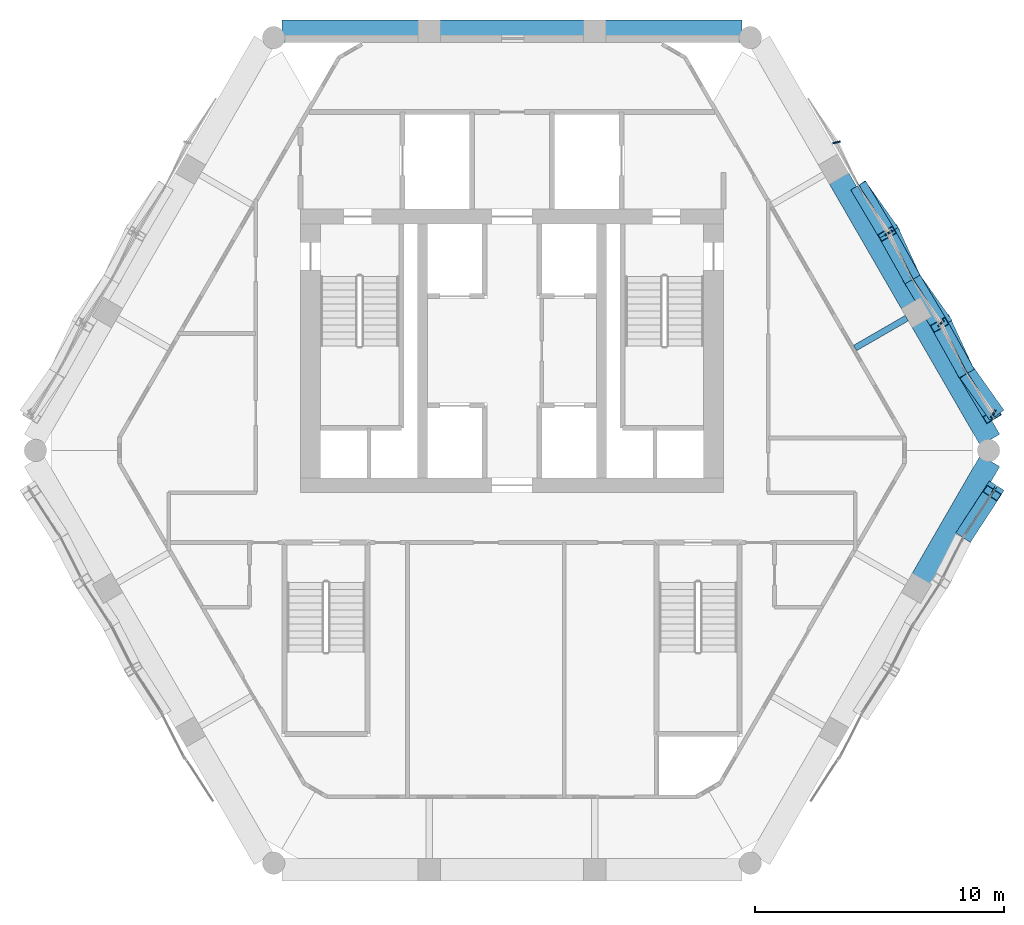
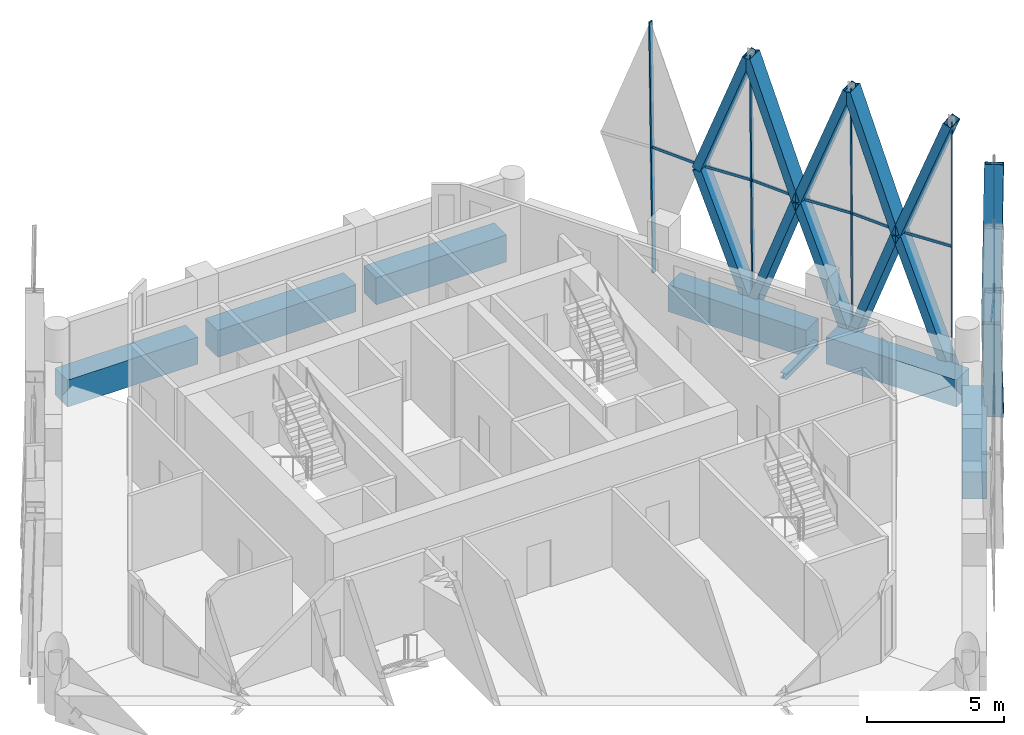
# One storey, part 9 of 18: 29 members, 7 beams, 4 elements without a shape of their own.
"""IFC4 building model written with IfcOpenShell, lengths in metres."""

from ifc_helpers import new_model, si_unit, direction, frame, origin, origin_2d, place, context, subcontext, project, spatial, rectangle, hollow_rectangle, i_section, extrude, material, material_profile, profile_set, type_object, element, aggregate, save


model = new_model("IFC4")

# Units and contexts
model_context = context("Model", 3, precision=1e-05, world=origin(), true_north=direction((0.0, 1.0)))
body_context = subcontext(model_context, "Body", "Model", "MODEL_VIEW")
ifc_project = project(units=[si_unit("LENGTHUNIT", "METRE"), si_unit("AREAUNIT", "SQUARE_METRE"), si_unit("VOLUMEUNIT", "CUBIC_METRE"), si_unit("PLANEANGLEUNIT", "RADIAN"), si_unit("MASSUNIT", "GRAM", prefix="KILO")], contexts=[model_context])

# Site, building, storey
site_placement = place(None, origin())
site = spatial("IfcSite", under=ifc_project, at=site_placement, CompositionType="ELEMENT")
building_placement = place(site_placement, origin())
building = spatial("IfcBuilding", under=site, at=building_placement, Name="Ostrander Bayou Hotel Tower", CompositionType="ELEMENT")
storey_placement = place(building_placement, frame((0.0, 0.0, 214.5)))
storey = spatial("IfcBuildingStorey", under=building, at=storey_placement, Name="L53", CompositionType="ELEMENT", Elevation=214.5)

# Curtain wall, members
ifc_material_1 = material(Name="Aluminium and clear glass", Category="aluminium")
curtain_wall_type = type_object("IfcCurtainWallType", Name="CW-LAT lattice glazing", PredefinedType="NOTDEFINED", material=ifc_material_1)
curtain_wall_1_placement = place(storey_placement, origin())
curtain_wall_1 = element("IfcCurtainWall", 1, at=curtain_wall_1_placement, inside=storey, type_object=curtain_wall_type, Name="CW-LAT L53 SE 1", PredefinedType="NOTDEFINED")
ifc_material_2 = material(Name="Aluminium", Category="aluminium")
ifc_material_profile_1 = material_profile(ifc_material_2, hollow_rectangle(XDim=0.06005859375, YDim=0.159912109375, WallThickness=0.00390625, at=origin_2d()))
ifc_profile_set_1 = profile_set([ifc_material_profile_1], Name="Aluminium")
member_type_1 = type_object("IfcMemberType", Name="CW-LA mullion 60 x 160 mm", PredefinedType="MULLION", material=ifc_profile_set_1)
member_1_placement = place(storey_placement, frame((19.392333984375, -1.551513671875, -0.60009765625), z_axis=(-0.008375557002, -0.014537883916, 0.999859240081), x_axis=(0.866486855147, -0.499199889682, 0.0)))
member_1 = element("IfcMember", 2, at=member_1_placement, type_object=member_type_1, Name="CW-LAT mullion 13", PredefinedType="MULLION", context=body_context, shape_type="SweptSolid", body=[
    extrude(hollow_rectangle(XDim=0.06005859375, YDim=0.159912109375, WallThickness=0.00390625, at=origin_2d()), origin(), (0.0, 0.0, 1.0), 5.625732421875),
])
member_2_placement = place(storey_placement, frame((19.34521484375, -1.63330078125, 5.02490234375), z_axis=(-0.008418950603, -0.014537878618, 0.99985887572), x_axis=(0.865367327112, -0.50113809391, 0.0)))
member_2 = element("IfcMember", 3, at=member_2_placement, type_object=member_type_1, Name="CW-LAT mullion 14", PredefinedType="MULLION", context=body_context, shape_type="SweptSolid", body=[
    extrude(hollow_rectangle(XDim=0.06005859375, YDim=0.159912109375, WallThickness=0.00390625, at=origin_2d()), origin(), (0.0, 0.0, 1.0), 5.625732421875),
])
aggregate(curtain_wall_1, [member_1, member_2])

curtain_wall_2_placement = place(storey_placement, origin())
curtain_wall_2 = element("IfcCurtainWall", 4, at=curtain_wall_2_placement, inside=storey, type_object=curtain_wall_type, Name="CW-LAT L53 NE 1", PredefinedType="NOTDEFINED")
member_3_placement = place(storey_placement, frame((19.392333984375, 1.551513671875, -0.60009765625), z_axis=(-0.008375557002, -0.014537883916, 0.999859240081), x_axis=(0.866486855147, -0.499199889682, 0.0)))
member_3 = element("IfcMember", 5, at=member_3_placement, type_object=member_type_1, Name="CW-LAT mullion 1", PredefinedType="MULLION", context=body_context, shape_type="SweptSolid", body=[
    extrude(hollow_rectangle(XDim=0.06005859375, YDim=0.159912109375, WallThickness=0.00390625, at=origin_2d()), origin(), (0.0, 0.0, 1.0), 5.625732421875),
])
member_4_placement = place(storey_placement, frame((19.34521484375, 1.4697265625, 5.02490234375), z_axis=(-0.008418950603, -0.014537878618, 0.99985887572), x_axis=(0.865367327112, -0.50113809391, 0.0)))
member_4 = element("IfcMember", 6, at=member_4_placement, type_object=member_type_1, Name="CW-LAT mullion 2", PredefinedType="MULLION", context=body_context, shape_type="SweptSolid", body=[
    extrude(hollow_rectangle(XDim=0.06005859375, YDim=0.159912109375, WallThickness=0.00390625, at=origin_2d()), origin(), (0.0, 0.0, 1.0), 5.625732421875),
])
member_5_placement = place(storey_placement, frame((17.30419921875, 5.168212890625, -0.60009765625), z_axis=(-0.010502269759, -0.010892850039, 0.999885517521), x_axis=(0.719895475853, -0.694082490664, 0.0)))
member_5 = element("IfcMember", 7, at=member_5_placement, type_object=member_type_1, Name="CW-LAT mullion 4", PredefinedType="MULLION", context=body_context, shape_type="SweptSolid", body=[
    extrude(hollow_rectangle(XDim=0.06005859375, YDim=0.159912109375, WallThickness=0.00390625, at=origin_2d()), origin(), (0.0, 0.0, 1.0), 5.625732421875),
])
member_6_placement = place(storey_placement, frame((17.2451171875, 5.10693359375, 5.02490234375), z_axis=(-0.010502264784, -0.010936242668, 0.999885043908), x_axis=(0.721272918752, -0.692650977531, 0.0)))
member_6 = element("IfcMember", 8, at=member_6_placement, type_object=member_type_1, Name="CW-LAT mullion 5", PredefinedType="MULLION", context=body_context, shape_type="SweptSolid", body=[
    extrude(hollow_rectangle(XDim=0.06005859375, YDim=0.159912109375, WallThickness=0.00390625, at=origin_2d()), origin(), (0.0, 0.0, 1.0), 5.625732421875),
])
member_7_placement = place(storey_placement, frame((15.216064453125, 8.784912109375, -0.60009765625), z_axis=(-0.012585478078, -0.007247499445, 0.999894534185), x_axis=(0.499032451057, -0.866583298242, 0.0)))
member_7 = element("IfcMember", 9, at=member_7_placement, type_object=member_type_1, Name="CW-LAT mullion 8", PredefinedType="MULLION", context=body_context, shape_type="SweptSolid", body=[
    extrude(hollow_rectangle(XDim=0.06005859375, YDim=0.159912109375, WallThickness=0.00390625, at=origin_2d()), origin(), (0.0, 0.0, 1.0), 5.62548828125),
])
member_8_placement = place(storey_placement, frame((15.145263671875, 8.744140625, 5.02490234375), z_axis=(-0.012628865384, -0.007290891356, 0.999893671678), x_axis=(0.499980071345, -0.866036909293, 0.0)))
member_8 = element("IfcMember", 10, at=member_8_placement, type_object=member_type_1, Name="CW-LAT mullion 9", PredefinedType="MULLION", context=body_context, shape_type="SweptSolid", body=[
    extrude(hollow_rectangle(XDim=0.06005859375, YDim=0.159912109375, WallThickness=0.00390625, at=origin_2d()), origin(), (0.0, 0.0, 1.0), 5.62548828125),
])
member_9_placement = place(storey_placement, frame((13.1279296875, 12.401611328125, -0.60009765625), z_axis=(-0.014668465382, -0.003602019606, 0.999885924282), x_axis=(0.238477195532, -0.971148097466, 0.0)))
member_9 = element("IfcMember", 11, at=member_9_placement, type_object=member_type_1, Name="CW-LAT mullion 12", PredefinedType="MULLION", context=body_context, shape_type="SweptSolid", body=[
    extrude(hollow_rectangle(XDim=0.06005859375, YDim=0.159912109375, WallThickness=0.00390625, at=origin_2d()), origin(), (0.0, 0.0, 1.0), 5.625732421875),
])
member_10_placement = place(storey_placement, frame((13.04541015625, 12.38134765625, 5.02490234375), z_axis=(-0.014711851516, -0.003645414535, 0.999885129591), x_axis=(0.24051397288, -0.970645676264, 0.0)))
member_10 = element("IfcMember", 12, at=member_10_placement, type_object=member_type_1, Name="CW-LAT mullion 13", PredefinedType="MULLION", context=body_context, shape_type="SweptSolid", body=[
    extrude(hollow_rectangle(XDim=0.06005859375, YDim=0.159912109375, WallThickness=0.00390625, at=origin_2d()), origin(), (0.0, 0.0, 1.0), 5.625732421875),
])
aggregate(curtain_wall_2, [member_3, member_4, member_5, member_6, member_7, member_8, member_9, member_10])

# Curtain wall, member
curtain_wall_3_placement = place(storey_placement, origin())
curtain_wall_3 = element("IfcCurtainWall", 13, at=curtain_wall_3_placement, inside=storey, type_object=curtain_wall_type, Name="CW-LAT L53 SE 2", PredefinedType="NOTDEFINED")
ifc_material_3 = material(Name="Aluminium", Category="aluminium")
ifc_material_profile_2 = material_profile(ifc_material_3, hollow_rectangle(XDim=0.06005859375, YDim=0.1201171875, WallThickness=0.00390625, at=origin_2d()))
ifc_profile_set_2 = profile_set([ifc_material_profile_2], Name="Aluminium")
member_type_2 = type_object("IfcMemberType", Name="CW-LA transom 60 x 120 mm", PredefinedType="USERDEFINED", material=ifc_profile_set_2)
member_11_placement = place(storey_placement, frame((19.34521484375, -1.63330078125, 5.02490234375), z_axis=(-0.545208318422, -0.838300596161, 0.0), x_axis=(0.838300596161, -0.545208318422, 0.0)))
member_11 = element("IfcMember", 14, at=member_11_placement, type_object=member_type_2, Name="CW-LAT transom 15", ObjectType="TRANSOM", PredefinedType="USERDEFINED", context=body_context, shape_type="SweptSolid", body=[
    extrude(hollow_rectangle(XDim=0.06005859375, YDim=0.1201171875, WallThickness=0.00390625, at=origin_2d()), origin(), (0.0, 0.0, 1.0), 2.0673828125),
])
aggregate(curtain_wall_3, [member_11])

# Curtain wall, members
curtain_wall_4_placement = place(storey_placement, origin())
curtain_wall_4 = element("IfcCurtainWall", 15, at=curtain_wall_4_placement, inside=storey, type_object=curtain_wall_type, Name="CW-LAT L53 NE 2", PredefinedType="NOTDEFINED")
member_12_placement = place(storey_placement, frame((19.34521484375, 1.4697265625, 5.02490234375), z_axis=(-0.544478173175, 0.838775010915, 0.0), x_axis=(-0.838775010915, -0.544478173175, 0.0)))
member_12 = element("IfcMember", 16, at=member_12_placement, type_object=member_type_2, Name="CW-LAT transom 3", ObjectType="TRANSOM", PredefinedType="USERDEFINED", context=body_context, shape_type="SweptSolid", body=[
    extrude(hollow_rectangle(XDim=0.06005859375, YDim=0.1201171875, WallThickness=0.00390625, at=origin_2d()), origin(), (0.0, 0.0, 1.0), 2.10302734375),
])
member_13_placement = place(storey_placement, frame((17.2451171875, 5.10693359375, 5.02490234375), z_axis=(0.454212745027, -0.89089324964, 0.0), x_axis=(0.89089324964, 0.454212745027, 0.0)))
member_13 = element("IfcMember", 17, at=member_13_placement, type_object=member_type_2, Name="CW-LAT transom 6", ObjectType="TRANSOM", PredefinedType="USERDEFINED", context=body_context, shape_type="SweptSolid", body=[
    extrude(hollow_rectangle(XDim=0.06005859375, YDim=0.1201171875, WallThickness=0.00390625, at=origin_2d()), origin(), (0.0, 0.0, 1.0), 2.102783203125),
])
member_14_placement = place(storey_placement, frame((17.2451171875, 5.10693359375, 5.02490234375), z_axis=(-0.544396488653, 0.83882802954, 0.0), x_axis=(-0.83882802954, -0.544396488653, 0.0)))
member_14 = element("IfcMember", 18, at=member_14_placement, type_object=member_type_2, Name="CW-LAT transom 7", ObjectType="TRANSOM", PredefinedType="USERDEFINED", context=body_context, shape_type="SweptSolid", body=[
    extrude(hollow_rectangle(XDim=0.06005859375, YDim=0.1201171875, WallThickness=0.00390625, at=origin_2d()), origin(), (0.0, 0.0, 1.0), 2.102783203125),
])
member_15_placement = place(storey_placement, frame((15.145263671875, 8.744140625, 5.02490234375), z_axis=(0.454212745027, -0.89089324964, 0.0), x_axis=(0.89089324964, 0.454212745027, 0.0)))
member_15 = element("IfcMember", 19, at=member_15_placement, type_object=member_type_2, Name="CW-LAT transom 10", ObjectType="TRANSOM", PredefinedType="USERDEFINED", context=body_context, shape_type="SweptSolid", body=[
    extrude(hollow_rectangle(XDim=0.06005859375, YDim=0.1201171875, WallThickness=0.00390625, at=origin_2d()), origin(), (0.0, 0.0, 1.0), 2.102783203125),
])
member_16_placement = place(storey_placement, frame((15.145263671875, 8.744140625, 5.02490234375), z_axis=(-0.544396488653, 0.83882802954, 0.0), x_axis=(-0.83882802954, -0.544396488653, 0.0)))
member_16 = element("IfcMember", 20, at=member_16_placement, type_object=member_type_2, Name="CW-LAT transom 11", ObjectType="TRANSOM", PredefinedType="USERDEFINED", context=body_context, shape_type="SweptSolid", body=[
    extrude(hollow_rectangle(XDim=0.06005859375, YDim=0.1201171875, WallThickness=0.00390625, at=origin_2d()), origin(), (0.0, 0.0, 1.0), 2.102783203125),
])
member_17_placement = place(storey_placement, frame((13.04541015625, 12.38134765625, 5.02490234375), z_axis=(0.454212745027, -0.89089324964, 0.0), x_axis=(0.89089324964, 0.454212745027, 0.0)))
member_17 = element("IfcMember", 21, at=member_17_placement, type_object=member_type_2, Name="CW-LAT transom 14", ObjectType="TRANSOM", PredefinedType="USERDEFINED", context=body_context, shape_type="SweptSolid", body=[
    extrude(hollow_rectangle(XDim=0.06005859375, YDim=0.1201171875, WallThickness=0.00390625, at=origin_2d()), origin(), (0.0, 0.0, 1.0), 2.102783203125),
])
aggregate(curtain_wall_4, [member_12, member_13, member_14, member_15, member_16, member_17])

# Beam
ifc_material_4 = material(Name="Steel ASTM A992", Category="steel")
ifc_material_profile_3 = material_profile(ifc_material_4, i_section(OverallWidth=0.25390625, OverallDepth=0.25341796875, WebThickness=0.008544921875, FlangeThickness=0.01416015625, at=origin_2d()))
ifc_profile_set_3 = profile_set([ifc_material_profile_3], Name="Steel ASTM A992")
beam_type_1 = type_object("IfcBeamType", Name="LB2 loggia bracket W10x49", PredefinedType="BEAM", material=ifc_profile_set_3)
beam_1_placement = place(storey_placement, frame((15.867431640625, 5.316650390625, -0.4267578125), z_axis=(-0.866024647952, -0.500001309137, 0.0), x_axis=(0.500001309137, -0.866024647952, 0.0)))
element("IfcBeam", 22, at=beam_1_placement, inside=storey, type_object=beam_type_1, Name="LB2 L53 NE1", PredefinedType="BEAM", context=body_context, shape_type="SweptSolid", body=[
    extrude(i_section(OverallWidth=0.25390625, OverallDepth=0.25341796875, WebThickness=0.008544921875, FlangeThickness=0.01416015625, at=origin_2d()), origin(), (0.0, 0.0, 1.0), 2.39990234375),
])

# Members
ifc_material_5 = material(Name="Steel ASTM A572 Gr 50", Category="steel")
ifc_material_profile_4 = material_profile(ifc_material_5, hollow_rectangle(XDim=0.699951171875, YDim=0.35009765625, WallThickness=0.02490234375, at=origin_2d()))
ifc_profile_set_4 = profile_set([ifc_material_profile_4], Name="Steel ASTM A572 Gr 50")
member_type_3 = type_object("IfcMemberType", Name="LT1 lattice member box 700 x 350 x 25 mm", PredefinedType="BRACE", material=ifc_profile_set_4)
member_18_placement = place(storey_placement, frame((18.218017578125, -3.366455078125, 5.02490234375), z_axis=(0.194872312498, 0.301181033495, -0.933442428265), x_axis=(-0.839582277136, 0.543232546815, 0.0)))
element("IfcMember", 23, at=member_18_placement, inside=storey, type_object=member_type_3, Name="LT1 L53 SE 9", PredefinedType="BRACE", context=body_context, shape_type="SweptSolid", body=[
    extrude(hollow_rectangle(XDim=0.699951171875, YDim=0.35009765625, WallThickness=0.02490234375, at=origin_2d()), origin(), (0.0, 0.0, 1.0), 6.026123046875),
])
member_19_placement = place(storey_placement, frame((18.218017578125, -3.366455078125, 5.02490234375), z_axis=(0.181149399113, 0.277027930274, 0.943631507024), x_axis=(-0.836947815323, 0.547282700646, 0.0)))
element("IfcMember", 24, at=member_19_placement, inside=storey, type_object=member_type_3, Name="LT1 L53 SE 10", PredefinedType="BRACE", context=body_context, shape_type="SweptSolid", body=[
    extrude(hollow_rectangle(XDim=0.699951171875, YDim=0.35009765625, WallThickness=0.02490234375, at=origin_2d()), origin(), (0.0, 0.0, 1.0), 5.9609375),
])
member_20_placement = place(storey_placement, frame((18.2001953125, 3.233642578125, 5.02490234375), z_axis=(0.19899021183, -0.280778734284, -0.938917567186), x_axis=(0.815880167197, 0.578221024154, 0.0)))
element("IfcMember", 25, at=member_20_placement, inside=storey, type_object=member_type_3, Name="LT1 L53 NE 1", PredefinedType="BRACE", context=body_context, shape_type="SweptSolid", body=[
    extrude(hollow_rectangle(XDim=0.699951171875, YDim=0.35009765625, WallThickness=0.02490234375, at=origin_2d()), origin(), (0.0, 0.0, 1.0), 5.990966796875),
])
member_21_placement = place(storey_placement, frame((18.2001953125, 3.233642578125, 5.02490234375), z_axis=(0.182305513905, -0.306545748471, 0.934234662006), x_axis=(0.859492691527, 0.511148034538, 0.0)))
element("IfcMember", 26, at=member_21_placement, inside=storey, type_object=member_type_3, Name="LT1 L53 NE 2", PredefinedType="BRACE", context=body_context, shape_type="SweptSolid", body=[
    extrude(hollow_rectangle(XDim=0.699951171875, YDim=0.35009765625, WallThickness=0.02490234375, at=origin_2d()), origin(), (0.0, 0.0, 1.0), 6.02099609375),
])
member_22_placement = place(storey_placement, frame((18.2001953125, 3.233642578125, 5.02490234375), z_axis=(-0.148948402298, 0.321598675697, -0.935087517424), x_axis=(-0.907402217941, -0.420263268531, 0.0)))
element("IfcMember", 27, at=member_22_placement, inside=storey, type_object=member_type_3, Name="LT1 L53 NE 3", PredefinedType="BRACE", context=body_context, shape_type="SweptSolid", body=[
    extrude(hollow_rectangle(XDim=0.699951171875, YDim=0.35009765625, WallThickness=0.02490234375, at=origin_2d()), origin(), (0.0, 0.0, 1.0), 6.015380859375),
])
member_23_placement = place(storey_placement, frame((18.2001953125, 3.233642578125, 5.02490234375), z_axis=(-0.169140318983, 0.302164253051, 0.938130223728), x_axis=(-0.872594225871, -0.488445817851, 0.0)))
element("IfcMember", 28, at=member_23_placement, inside=storey, type_object=member_type_3, Name="LT1 L53 NE 4", PredefinedType="BRACE", context=body_context, shape_type="SweptSolid", body=[
    extrude(hollow_rectangle(XDim=0.699951171875, YDim=0.35009765625, WallThickness=0.02490234375, at=origin_2d()), origin(), (0.0, 0.0, 1.0), 5.995849609375),
])
member_24_placement = place(storey_placement, frame((16.100341796875, 6.870849609375, 5.02490234375), z_axis=(0.200673928315, -0.283816665194, -0.937644962154), x_axis=(0.816516598165, 0.5773219595, 0.0)))
element("IfcMember", 29, at=member_24_placement, inside=storey, type_object=member_type_3, Name="LT1 L53 NE 5", PredefinedType="BRACE", context=body_context, shape_type="SweptSolid", body=[
    extrude(hollow_rectangle(XDim=0.699951171875, YDim=0.35009765625, WallThickness=0.02490234375, at=origin_2d()), origin(), (0.0, 0.0, 1.0), 5.9990234375),
])
member_25_placement = place(storey_placement, frame((16.100341796875, 6.870849609375, 5.02490234375), z_axis=(0.180569133683, -0.30360139702, 0.935532457849), x_axis=(0.859474468099, 0.511178675891, 0.0)))
element("IfcMember", 30, at=member_25_placement, inside=storey, type_object=member_type_3, Name="LT1 L53 NE 6", PredefinedType="BRACE", context=body_context, shape_type="SweptSolid", body=[
    extrude(hollow_rectangle(XDim=0.699951171875, YDim=0.35009765625, WallThickness=0.02490234375, at=origin_2d()), origin(), (0.0, 0.0, 1.0), 6.0126953125),
])
member_26_placement = place(storey_placement, frame((16.100341796875, 6.870849609375, 5.02490234375), z_axis=(-0.147203413834, 0.31862914535, -0.936379529192), x_axis=(-0.907803427107, -0.419395920023, 0.0)))
element("IfcMember", 31, at=member_26_placement, inside=storey, type_object=member_type_3, Name="LT1 L53 NE 7", PredefinedType="BRACE", context=body_context, shape_type="SweptSolid", body=[
    extrude(hollow_rectangle(XDim=0.699951171875, YDim=0.35009765625, WallThickness=0.02490234375, at=origin_2d()), origin(), (0.0, 0.0, 1.0), 6.007080078125),
])
member_27_placement = place(storey_placement, frame((16.100341796875, 6.870849609375, 5.02490234375), z_axis=(-0.170900002624, 0.305164054173, 0.936839414811), x_axis=(-0.872496103624, -0.488621069092, 0.0)))
element("IfcMember", 32, at=member_27_placement, inside=storey, type_object=member_type_3, Name="LT1 L53 NE 8", PredefinedType="BRACE", context=body_context, shape_type="SweptSolid", body=[
    extrude(hollow_rectangle(XDim=0.699951171875, YDim=0.35009765625, WallThickness=0.02490234375, at=origin_2d()), origin(), (0.0, 0.0, 1.0), 6.004150390625),
])
member_28_placement = place(storey_placement, frame((14.00048828125, 10.508056640625, 5.02490234375), z_axis=(0.202350329175, -0.286842463008, -0.936363041613), x_axis=(0.817137880201, 0.57644226488, 0.0)))
element("IfcMember", 33, at=member_28_placement, inside=storey, type_object=member_type_3, Name="LT1 L53 NE 9", PredefinedType="BRACE", context=body_context, shape_type="SweptSolid", body=[
    extrude(hollow_rectangle(XDim=0.699951171875, YDim=0.35009765625, WallThickness=0.02490234375, at=origin_2d()), origin(), (0.0, 0.0, 1.0), 6.00732421875),
])
member_29_placement = place(storey_placement, frame((14.00048828125, 10.508056640625, 5.02490234375), z_axis=(0.178827707881, -0.300607831825, 0.936832739788), x_axis=(0.859425453806, 0.511261077484, 0.0)))
element("IfcMember", 34, at=member_29_placement, inside=storey, type_object=member_type_3, Name="LT1 L53 NE 10", PredefinedType="BRACE", context=body_context, shape_type="SweptSolid", body=[
    extrude(hollow_rectangle(XDim=0.699951171875, YDim=0.35009765625, WallThickness=0.02490234375, at=origin_2d()), origin(), (0.0, 0.0, 1.0), 6.00439453125),
])

# Beams
ifc_material_6 = material(Name="Concrete f'c 60 MPa", Category="concrete")
ifc_material_profile_5 = material_profile(ifc_material_6, rectangle(XDim=0.89990234375, YDim=1.199951171875, at=origin_2d()))
ifc_profile_set_5 = profile_set([ifc_material_profile_5], Name="Concrete f'c 60 MPa")
beam_type_2 = type_object("IfcBeamType", Name="SP4 spandrel beam 900 x 1200 mm f'c 60 MPa", PredefinedType="SPANDREL", material=ifc_profile_set_5)
beam_2_placement = place(storey_placement, frame((9.2412109375, 16.85009765625, -0.60009765625), z_axis=(-1.0, 0.0, 0.0), x_axis=(0.0, -1.0, 0.0)))
element("IfcBeam", 35, at=beam_2_placement, inside=storey, type_object=beam_type_2, Name="SP4 L53 N-1", PredefinedType="SPANDREL", context=body_context, shape_type="SweptSolid", body=[
    extrude(rectangle(XDim=0.89990234375, YDim=1.199951171875, at=origin_2d()), origin(), (0.0, 0.0, 1.0), 5.49169921875),
])
beam_3_placement = place(storey_placement, frame((2.909423828125, 16.85009765625, -0.60009765625), z_axis=(-1.0, 0.0, 0.0), x_axis=(0.0, -1.0, 0.0)))
element("IfcBeam", 36, at=beam_3_placement, inside=storey, type_object=beam_type_2, Name="SP4 L53 N-2", PredefinedType="SPANDREL", context=body_context, shape_type="SweptSolid", body=[
    extrude(rectangle(XDim=0.89990234375, YDim=1.199951171875, at=origin_2d()), origin(), (0.0, 0.0, 1.0), 5.81884765625),
])
for number, where, z_axis, x_axis, name in (
    (37, (-3.74951171875, 16.85009765625, -0.60009765625), (-1.0, 0.0, 0.0), (0.0, -1.0, 0.0), "SP4 L53 N-3"),
    (38, (16.46728515625, -5.177978515625, -0.60009765625), (0.50000722722, 0.866021231107, 0.0), (-0.866021231107, 0.50000722722, 0.0), "SP4 L53 SE-3"),
    (39, (19.213134765625, 0.422119140625, -0.60009765625), (-0.50000722722, 0.866021231107, 0.0), (-0.866021231107, -0.50000722722, 0.0), "SP4 L53 NE-1"),
):
    element("IfcBeam", number, at=place(storey_placement, frame(where, z_axis=z_axis, x_axis=x_axis)), inside=storey, type_object=beam_type_2, Name=name, PredefinedType="SPANDREL", context=body_context, shape_type="SweptSolid", body=[
        extrude(rectangle(XDim=0.89990234375, YDim=1.199951171875, at=origin_2d()), origin(), (0.0, 0.0, 1.0), 5.49169921875),
    ])
beam_4_placement = place(storey_placement, frame((16.047119140625, 5.905517578125, -0.60009765625), z_axis=(-0.500015433515, 0.866016493057, 0.0), x_axis=(-0.866016493057, -0.500015433515, 0.0)))
element("IfcBeam", 40, at=beam_4_placement, inside=storey, type_object=beam_type_2, Name="SP4 L53 NE-2", PredefinedType="SPANDREL", context=body_context, shape_type="SweptSolid", body=[
    extrude(rectangle(XDim=0.89990234375, YDim=1.199951171875, at=origin_2d()), origin(), (0.0, 0.0, 1.0), 5.818603515625),
])

save(model, "model.ifc")
